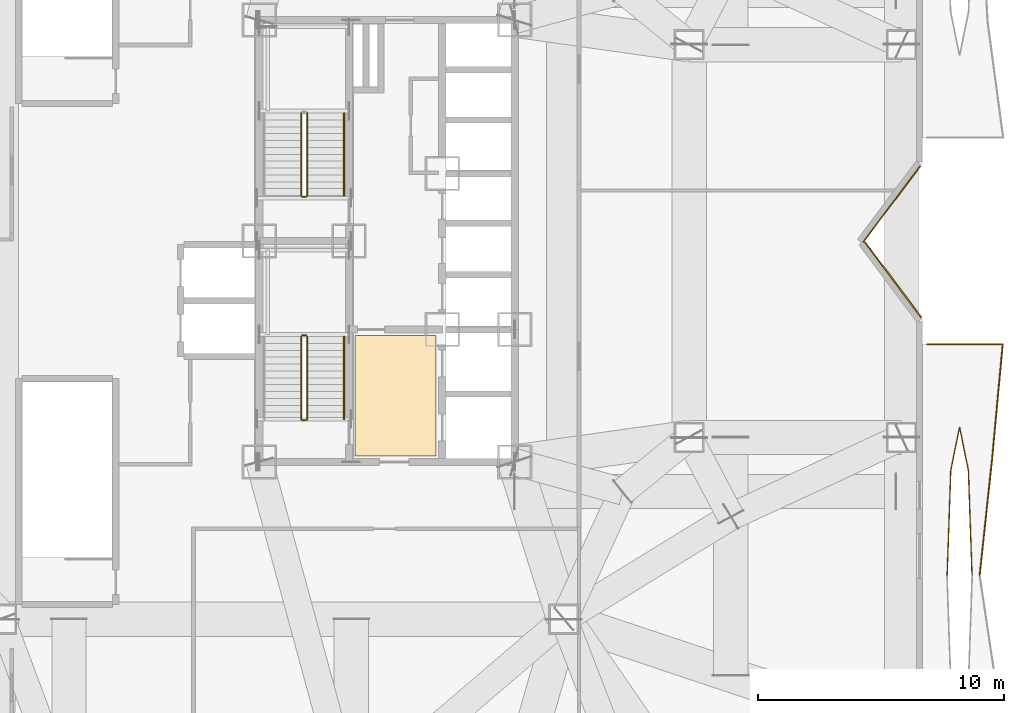
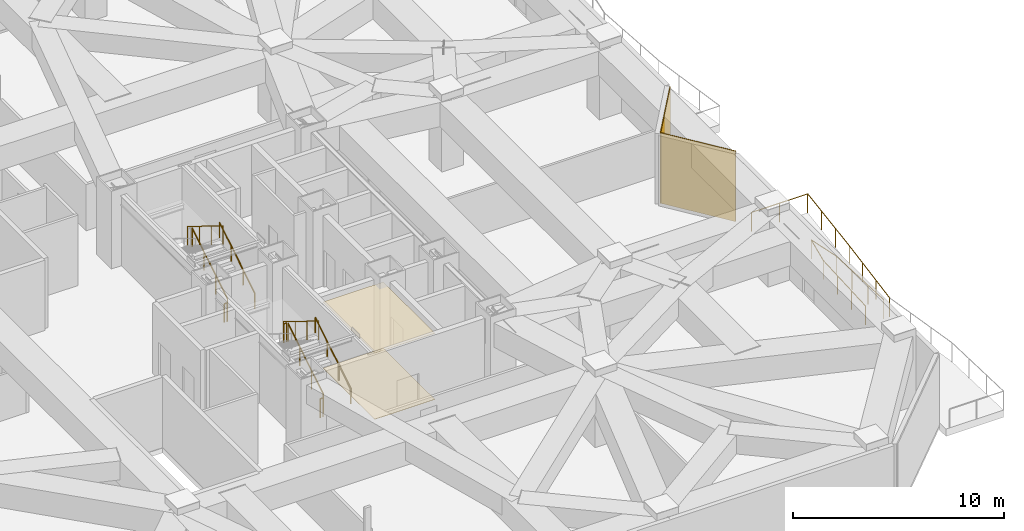
# One storey, part 24 of 27: 11 railings, 4 coverings.
"""IFC4 building model written with IfcOpenShell, lengths in metres."""

from ifc_helpers import new_model, si_unit, direction, frame, origin, origin_2d, place, context, subcontext, project, spatial, polyline, rectangle, circle, outline, extrude, material, layer, layer_set, type_object, element, save


model = new_model("IFC4")

# Units and contexts
model_context = context("Model", 3, precision=1e-05, world=origin(), true_north=direction((0.0, 1.0)))
body_context = subcontext(model_context, "Body", "Model", "MODEL_VIEW")
ifc_project = project(units=[si_unit("LENGTHUNIT", "METRE"), si_unit("AREAUNIT", "SQUARE_METRE"), si_unit("VOLUMEUNIT", "CUBIC_METRE"), si_unit("PLANEANGLEUNIT", "RADIAN"), si_unit("MASSUNIT", "GRAM", prefix="KILO")], contexts=[model_context])

# Site, building, storey
site_placement = place(None, origin())
site = spatial("IfcSite", under=ifc_project, at=site_placement, CompositionType="ELEMENT")
building_placement = place(site_placement, origin())
building = spatial("IfcBuilding", under=site, at=building_placement, Name="Khamvora Tower", CompositionType="ELEMENT")
storey_placement = place(building_placement, frame((0.0, 0.0, 28.800048828125)))
storey = spatial("IfcBuildingStorey", under=building, at=storey_placement, Name="L06", CompositionType="ELEMENT", Elevation=28.800048828125)

# Coverings
ifc_material_1 = material(Name="Perforated Mineral-Fibre Acoustic Ceiling Tile", Category="gypsum")
ifc_layer_1 = layer(ifc_material_1, 0.02490234375)
ifc_layer_set_1 = layer_set([ifc_layer_1], Name="Perforated Mineral-Fibre Acoustic Ceiling Tile")
covering_type_1 = type_object("IfcCoveringType", Name="COV-CEIL-600", PredefinedType="CEILING", material=ifc_layer_set_1)
covering_1_placement = place(storey_placement, frame((0.0, 0.0, 3.829833984375)))
element("IfcCovering", 1, at=covering_1_placement, inside=storey, type_object=covering_type_1, Name="L06 core lobby suspended acoustic ceiling", PredefinedType="CEILING", context=body_context, shape_type="SweptSolid", body=[
    extrude(outline(polyline([(32.89990234375, 19.25), (36.199951171875, 19.25), (36.199951171875, 24.14990234375), (32.89990234375, 24.14990234375), (32.89990234375, 19.25)])), origin(), (0.0, 0.0, 1.0), 0.025146484375),
])
ifc_material_2 = material(Name="Pale Anodised Aluminium Rainscreen Panel", Category="aluminium")
ifc_layer_2 = layer(ifc_material_2, 0.044921875)
ifc_layer_set_2 = layer_set([ifc_layer_2], Name="Pale Anodised Aluminium Rainscreen Panel")
covering_type_2 = type_object("IfcCoveringType", Name="COV-CLD-ALU", PredefinedType="CLADDING", material=ifc_layer_set_2)
covering_2_placement = place(storey_placement, frame((54.756103515625, 29.511962890625, 0.0), z_axis=(0.0, 0.0, 1.0), x_axis=(-0.600040135704, -0.799969896649, 0.0)))
element("IfcCovering", 2, at=covering_2_placement, inside=storey, type_object=covering_type_2, Name="L06 chamfer rainscreen cladding 10.1", PredefinedType="CLADDING", context=body_context, shape_type="SweptSolid", body=[
    extrude(rectangle(XDim=3.885986328125, YDim=0.044921875, at=origin_2d()), origin(), (0.0, 0.0, 1.0), 4.080078125),
])
ifc_material_3 = material(Name="Anodised Bronze Aluminium Spandrel Panel", Category="aluminium")
ifc_layer_3 = layer(ifc_material_3, 0.054931640625)
ifc_layer_set_3 = layer_set([ifc_layer_3], Name="Anodised Bronze Aluminium Spandrel Panel")
covering_type_3 = type_object("IfcCoveringType", Name="COV-CLD-BRZ", PredefinedType="CLADDING", material=ifc_layer_set_3)
covering_3_placement = place(storey_placement, frame((54.806884765625, 26.4208984375, 0.0), z_axis=(0.0, 0.0, 1.0), x_axis=(0.600000000002, -0.799999999998, 0.0)))
element("IfcCovering", 3, at=covering_3_placement, inside=storey, type_object=covering_type_3, Name="L06 chamfer rainscreen cladding 11.1", PredefinedType="CLADDING", context=body_context, shape_type="SweptSolid", body=[
    extrude(rectangle(XDim=3.844970703125, YDim=0.054931640625, at=origin_2d()), origin(), (0.0, 0.0, 1.0), 4.080078125),
])
ifc_material_4 = material(Name="Honed Terrazzo Stone Tile", Category="masonry")
ifc_layer_4 = layer(ifc_material_4, 0.02001953125)
ifc_layer_set_4 = layer_set([ifc_layer_4], Name="Honed Terrazzo Stone Tile")
covering_type_4 = type_object("IfcCoveringType", Name="COV-FLOR-20", PredefinedType="FLOORING", material=ifc_layer_set_4)
covering_4_placement = place(storey_placement, origin())
element("IfcCovering", 4, at=covering_4_placement, inside=storey, type_object=covering_type_4, Name="L06 lift lobby terrazzo flooring", PredefinedType="FLOORING", context=body_context, shape_type="SweptSolid", body=[
    extrude(outline(polyline([(32.89990234375, 19.25), (36.199951171875, 19.25), (36.199951171875, 24.14990234375), (32.89990234375, 24.14990234375), (32.89990234375, 19.25)])), origin(), (0.0, 0.0, 1.0), 0.02001953125),
])

# Railings
ifc_material_5 = material(Name="Stainless Steel 316 and Laminated Glass", Category="steel")
railing_type_1 = type_object("IfcRailingType", Name="RAL-GAL-1120", PredefinedType="GUARDRAIL", material=ifc_material_5)
railing_1_placement = place(storey_placement, frame((58.3369140625, 14.39990234375, 0.0)))
element("IfcRailing", 5, at=railing_1_placement, inside=storey, type_object=railing_type_1, Name="L06 lens gallery north perimeter guardrail EL1", PredefinedType="GUARDRAIL", context=body_context, shape_type="SweptSolid", body=[
    extrude(circle(Radius=0.02392578125, at=origin_2d()), frame((0.0, 0.0, 1.09619140625), z_axis=(0.106241333318, 0.994340373863, 0.0), x_axis=(-0.994340373863, 0.106241333318, 0.0)), (0.0, 0.0, 1.0), 4.72705078125),
    extrude(circle(Radius=0.02392578125, at=origin_2d()), frame((0.502197265625, 4.7001953125, 1.09619140625), z_axis=(0.092121283105, 0.995747793971, 0.0), x_axis=(-0.995747793971, 0.092121283105, 0.0)), (0.0, 0.0, 1.0), 4.719970703125),
    extrude(circle(Radius=0.02392578125, at=origin_2d()), frame((0.93701171875, 9.400146484375, 1.09619140625), z_axis=(-1.0, 0.0, 0.0), x_axis=(0.0, -1.0, 0.0)), (0.0, 0.0, 1.0), 3.073974609375),
    extrude(circle(Radius=0.02099609375, at=origin_2d()), origin(), (0.0, 0.0, 1.0), 1.072021484375),
    extrude(circle(Radius=0.02099609375, at=origin_2d()), frame((0.16748046875, 1.566650390625, 0.0)), (0.0, 0.0, 1.0), 1.072021484375),
    extrude(circle(Radius=0.02099609375, at=origin_2d()), frame((0.334716796875, 3.133544921875, 0.0)), (0.0, 0.0, 1.0), 1.072021484375),
    extrude(circle(Radius=0.02099609375, at=origin_2d()), frame((0.502197265625, 4.7001953125, 0.0)), (0.0, 0.0, 1.0), 1.072021484375),
    extrude(circle(Radius=0.02099609375, at=origin_2d()), frame((0.647216796875, 6.266845703125, 0.0)), (0.0, 0.0, 1.0), 1.072021484375),
    extrude(circle(Radius=0.02099609375, at=origin_2d()), frame((0.7919921875, 7.83349609375, 0.0)), (0.0, 0.0, 1.0), 1.072021484375),
    extrude(circle(Radius=0.02099609375, at=origin_2d()), frame((0.93701171875, 9.400146484375, 0.0)), (0.0, 0.0, 1.0), 1.072021484375),
    extrude(circle(Radius=0.02099609375, at=origin_2d()), frame((-0.60009765625, 9.400146484375, 0.0)), (0.0, 0.0, 1.0), 1.072021484375),
    extrude(circle(Radius=0.02099609375, at=origin_2d()), frame((-2.136962890625, 9.400146484375, 0.0)), (0.0, 0.0, 1.0), 1.072021484375),
])
railing_2_placement = place(storey_placement, frame((58.01904296875, 14.39990234375, 0.0)))
element("IfcRailing", 6, at=railing_2_placement, inside=storey, type_object=railing_type_1, Name="L06 lens gallery void guardrail EL1A", PredefinedType="GUARDRAIL", context=body_context, shape_type="SweptSolid", body=[
    extrude(circle(Radius=0.02392578125, at=origin_2d()), frame((0.0, 0.0, 1.09619140625), z_axis=(-0.034756605959, 0.999395806646, 0.0), x_axis=(-0.999395806646, -0.034756605959, 0.0)), (0.0, 0.0, 1.0), 4.2568359375),
    extrude(circle(Radius=0.02392578125, at=origin_2d()), frame((-0.14794921875, 4.254150390625, 1.09619140625), z_axis=(-0.198152924969, 0.98017111686, 0.0), x_axis=(-0.98017111686, -0.198152924969, 0.0)), (0.0, 0.0, 1.0), 1.797607421875),
    extrude(circle(Radius=0.02392578125, at=origin_2d()), frame((-0.504150390625, 6.01611328125, 1.09619140625), z_axis=(-0.198022438185, -0.980197487232, 0.0), x_axis=(0.980197487232, -0.198022438185, 0.0)), (0.0, 0.0, 1.0), 1.797607421875),
    extrude(circle(Radius=0.02392578125, at=origin_2d()), frame((-0.860107421875, 4.254150390625, 1.09619140625), z_axis=(-0.034756605959, -0.999395806646, 0.0), x_axis=(0.999395806646, -0.034756605959, 0.0)), (0.0, 0.0, 1.0), 4.2568359375),
    extrude(circle(Radius=0.02099609375, at=origin_2d()), origin(), (0.0, 0.0, 1.0), 1.072021484375),
    extrude(circle(Radius=0.02099609375, at=origin_2d()), frame((-0.04931640625, 1.41796875, 0.0)), (0.0, 0.0, 1.0), 1.072021484375),
    extrude(circle(Radius=0.02099609375, at=origin_2d()), frame((-0.0986328125, 2.836181640625, 0.0)), (0.0, 0.0, 1.0), 1.072021484375),
    extrude(circle(Radius=0.02099609375, at=origin_2d()), frame((-0.14794921875, 4.254150390625, 0.0)), (0.0, 0.0, 1.0), 1.072021484375),
    extrude(circle(Radius=0.02099609375, at=origin_2d()), frame((-0.504150390625, 6.01611328125, 0.0)), (0.0, 0.0, 1.0), 1.072021484375),
    extrude(circle(Radius=0.02099609375, at=origin_2d()), frame((-0.860107421875, 4.254150390625, 0.0)), (0.0, 0.0, 1.0), 1.072021484375),
    extrude(circle(Radius=0.02099609375, at=origin_2d()), frame((-0.909423828125, 2.836181640625, 0.0)), (0.0, 0.0, 1.0), 1.072021484375),
    extrude(circle(Radius=0.02099609375, at=origin_2d()), frame((-0.958740234375, 1.41796875, 0.0)), (0.0, 0.0, 1.0), 1.072021484375),
    extrude(circle(Radius=0.02099609375, at=origin_2d()), frame((-1.008056640625, 0.0, 0.0)), (0.0, 0.0, 1.0), 1.072021484375),
])
ifc_material_6 = material(Name="Brushed Stainless Steel 316", Category="steel")
railing_type_2 = type_object("IfcRailingType", Name="RAL-HDR-920", PredefinedType="HANDRAIL", material=ifc_material_6)
railing_3_placement = place(storey_placement, frame((32.449951171875, 20.75, 0.173095703125)))
element("IfcRailing", 7, at=railing_3_placement, inside=storey, type_object=railing_type_2, Name="L06 ST-01 stair handrail 1", PredefinedType="HANDRAIL", context=body_context, shape_type="SweptSolid", body=[
    extrude(circle(Radius=0.02392578125, at=origin_2d()), frame((0.0, 0.0, 0.8759765625), z_axis=(0.0, 0.850623216509, 0.525775754039), x_axis=(-1.0, 0.0, 0.0)), (0.0, 0.0, 1.0), 3.9501953125),
    extrude(circle(Radius=0.02099609375, at=origin_2d()), origin(), (0.0, 0.0, 1.0), 0.851806640625),
    extrude(circle(Radius=0.02099609375, at=origin_2d()), frame((0.0, 1.1201171875, 0.6923828125)), (0.0, 0.0, 1.0), 0.851806640625),
    extrude(circle(Radius=0.02099609375, at=origin_2d()), frame((0.0, 2.239990234375, 1.384521484375)), (0.0, 0.0, 1.0), 0.851806640625),
    extrude(circle(Radius=0.02099609375, at=origin_2d()), frame((0.0, 3.360107421875, 2.076904296875)), (0.0, 0.0, 1.0), 0.851806640625),
])
railing_4_placement = place(storey_placement, frame((32.449951171875, 29.85009765625, 0.173095703125)))
element("IfcRailing", 8, at=railing_4_placement, inside=storey, type_object=railing_type_2, Name="L06 ST-02 stair handrail 1", PredefinedType="HANDRAIL", context=body_context, shape_type="SweptSolid", body=[
    extrude(circle(Radius=0.02392578125, at=origin_2d()), frame((0.0, 0.0, 0.8759765625), z_axis=(0.0, 0.850606129759, 0.525803396734), x_axis=(-1.0, 0.0, 0.0)), (0.0, 0.0, 1.0), 3.949951171875),
    extrude(circle(Radius=0.02099609375, at=origin_2d()), origin(), (0.0, 0.0, 1.0), 0.851806640625),
    extrude(circle(Radius=0.02099609375, at=origin_2d()), frame((0.0, 1.119873046875, 0.6923828125)), (0.0, 0.0, 1.0), 0.851806640625),
    extrude(circle(Radius=0.02099609375, at=origin_2d()), frame((0.0, 2.239990234375, 1.384521484375)), (0.0, 0.0, 1.0), 0.851806640625),
    extrude(circle(Radius=0.02099609375, at=origin_2d()), frame((0.0, 3.35986328125, 2.076904296875)), (0.0, 0.0, 1.0), 0.851806640625),
])
ifc_material_7 = material(Name="Stainless Steel 316", Category="steel")
railing_type_3 = type_object("IfcRailingType", Name="RAL-STG-1100", PredefinedType="GUARDRAIL", material=ifc_material_7)
railing_5_placement = place(storey_placement, frame((30.949951171875, 20.75, 0.173095703125)))
element("IfcRailing", 9, at=railing_5_placement, inside=storey, type_object=railing_type_3, Name="L06 ST-01 stair guard 1", PredefinedType="GUARDRAIL", context=body_context, shape_type="SweptSolid", body=[
    extrude(circle(Radius=0.02392578125, at=origin_2d()), frame((0.0, 0.0, 1.076171875), z_axis=(0.0, 0.850623216509, 0.525775754039), x_axis=(-1.0, 0.0, 0.0)), (0.0, 0.0, 1.0), 3.9501953125),
    extrude(circle(Radius=0.02099609375, at=origin_2d()), origin(), (0.0, 0.0, 1.0), 1.052001953125),
    extrude(circle(Radius=0.02099609375, at=origin_2d()), frame((0.0, 1.1201171875, 0.6923828125)), (0.0, 0.0, 1.0), 1.052001953125),
    extrude(circle(Radius=0.02099609375, at=origin_2d()), frame((0.0, 2.239990234375, 1.384521484375)), (0.0, 0.0, 1.0), 1.052001953125),
    extrude(circle(Radius=0.02099609375, at=origin_2d()), frame((0.0, 3.360107421875, 2.076904296875)), (0.0, 0.0, 1.0), 1.052001953125),
])
railing_6_placement = place(storey_placement, frame((30.89990234375, 24.159912109375, 2.25)))
element("IfcRailing", 10, at=railing_6_placement, inside=storey, type_object=railing_type_3, Name="L06 ST-01 stair guard 2", PredefinedType="GUARDRAIL", context=body_context, shape_type="SweptSolid", body=[
    extrude(circle(Radius=0.02392578125, at=origin_2d()), frame((0.0, 0.0, 1.076171875), z_axis=(-1.0, 0.0, 0.0), x_axis=(0.0, -1.0, 0.0)), (0.0, 0.0, 1.0), 0.14990234375),
    extrude(circle(Radius=0.02099609375, at=origin_2d()), origin(), (0.0, 0.0, 1.0), 1.052001953125),
    extrude(circle(Radius=0.02099609375, at=origin_2d()), frame((-0.14990234375, 0.0, 0.0)), (0.0, 0.0, 1.0), 1.052001953125),
])
railing_7_placement = place(storey_placement, frame((30.699951171875, 24.110107421875, 2.423095703125)))
element("IfcRailing", 11, at=railing_7_placement, inside=storey, type_object=railing_type_3, Name="L06 ST-01 stair guard 3", PredefinedType="GUARDRAIL", context=body_context, shape_type="SweptSolid", body=[
    extrude(circle(Radius=0.02392578125, at=origin_2d()), frame((0.0, 0.0, 1.076171875), z_axis=(0.0, -0.850623216509, 0.525775754039), x_axis=(1.0, 0.0, 0.0)), (0.0, 0.0, 1.0), 3.9501953125),
    extrude(circle(Radius=0.02099609375, at=origin_2d()), origin(), (0.0, 0.0, 1.0), 1.052001953125),
    extrude(circle(Radius=0.02099609375, at=origin_2d()), frame((0.0, -1.1201171875, 0.6923828125)), (0.0, 0.0, 1.0), 1.052001953125),
    extrude(circle(Radius=0.02099609375, at=origin_2d()), frame((0.0, -2.239990234375, 1.384521484375)), (0.0, 0.0, 1.0), 1.052001953125),
    extrude(circle(Radius=0.02099609375, at=origin_2d()), frame((0.0, -3.360107421875, 2.076904296875)), (0.0, 0.0, 1.0), 1.052001953125),
])
railing_8_placement = place(storey_placement, frame((30.89990234375, 20.699951171875, 0.0)))
element("IfcRailing", 12, at=railing_8_placement, inside=storey, type_object=railing_type_3, Name="L06 ST-01 stair guard 4", PredefinedType="GUARDRAIL", context=body_context, shape_type="SweptSolid", body=[
    extrude(circle(Radius=0.02392578125, at=origin_2d()), frame((0.0, 0.0, 1.076171875), z_axis=(-1.0, 0.0, 0.0), x_axis=(0.0, -1.0, 0.0)), (0.0, 0.0, 1.0), 0.14990234375),
    extrude(circle(Radius=0.02099609375, at=origin_2d()), origin(), (0.0, 0.0, 1.0), 1.052001953125),
    extrude(circle(Radius=0.02099609375, at=origin_2d()), frame((-0.14990234375, 0.0, 0.0)), (0.0, 0.0, 1.0), 1.052001953125),
])
railing_9_placement = place(storey_placement, frame((30.949951171875, 29.85009765625, 0.173095703125)))
element("IfcRailing", 13, at=railing_9_placement, inside=storey, type_object=railing_type_3, Name="L06 ST-02 stair guard 1", PredefinedType="GUARDRAIL", context=body_context, shape_type="SweptSolid", body=[
    extrude(circle(Radius=0.02392578125, at=origin_2d()), frame((0.0, 0.0, 1.076171875), z_axis=(0.0, 0.850606129759, 0.525803396734), x_axis=(-1.0, 0.0, 0.0)), (0.0, 0.0, 1.0), 3.949951171875),
    extrude(circle(Radius=0.02099609375, at=origin_2d()), origin(), (0.0, 0.0, 1.0), 1.052001953125),
    extrude(circle(Radius=0.02099609375, at=origin_2d()), frame((0.0, 1.119873046875, 0.6923828125)), (0.0, 0.0, 1.0), 1.052001953125),
    extrude(circle(Radius=0.02099609375, at=origin_2d()), frame((0.0, 2.239990234375, 1.384521484375)), (0.0, 0.0, 1.0), 1.052001953125),
    extrude(circle(Radius=0.02099609375, at=origin_2d()), frame((0.0, 3.35986328125, 2.076904296875)), (0.0, 0.0, 1.0), 1.052001953125),
])
railing_10_placement = place(storey_placement, frame((30.699951171875, 33.2099609375, 2.423095703125)))
element("IfcRailing", 14, at=railing_10_placement, inside=storey, type_object=railing_type_3, Name="L06 ST-02 stair guard 3", PredefinedType="GUARDRAIL", context=body_context, shape_type="SweptSolid", body=[
    extrude(circle(Radius=0.02392578125, at=origin_2d()), frame((0.0, 0.0, 1.076171875), z_axis=(0.0, -0.850606129759, 0.525803396734), x_axis=(1.0, 0.0, 0.0)), (0.0, 0.0, 1.0), 3.949951171875),
    extrude(circle(Radius=0.02099609375, at=origin_2d()), origin(), (0.0, 0.0, 1.0), 1.052001953125),
    extrude(circle(Radius=0.02099609375, at=origin_2d()), frame((0.0, -1.119873046875, 0.6923828125)), (0.0, 0.0, 1.0), 1.052001953125),
    extrude(circle(Radius=0.02099609375, at=origin_2d()), frame((0.0, -2.239990234375, 1.384521484375)), (0.0, 0.0, 1.0), 1.052001953125),
    extrude(circle(Radius=0.02099609375, at=origin_2d()), frame((0.0, -3.35986328125, 2.076904296875)), (0.0, 0.0, 1.0), 1.052001953125),
])
railing_11_placement = place(storey_placement, frame((30.89990234375, 29.800048828125, 0.0)))
element("IfcRailing", 15, at=railing_11_placement, inside=storey, type_object=railing_type_3, Name="L06 ST-02 stair guard 4", PredefinedType="GUARDRAIL", context=body_context, shape_type="SweptSolid", body=[
    extrude(circle(Radius=0.02392578125, at=origin_2d()), frame((0.0, 0.0, 1.076171875), z_axis=(-1.0, 0.0, 0.0), x_axis=(0.0, -1.0, 0.0)), (0.0, 0.0, 1.0), 0.14990234375),
    extrude(circle(Radius=0.02099609375, at=origin_2d()), origin(), (0.0, 0.0, 1.0), 1.052001953125),
    extrude(circle(Radius=0.02099609375, at=origin_2d()), frame((-0.14990234375, 0.0, 0.0)), (0.0, 0.0, 1.0), 1.052001953125),
])

save(model, "model.ifc")
